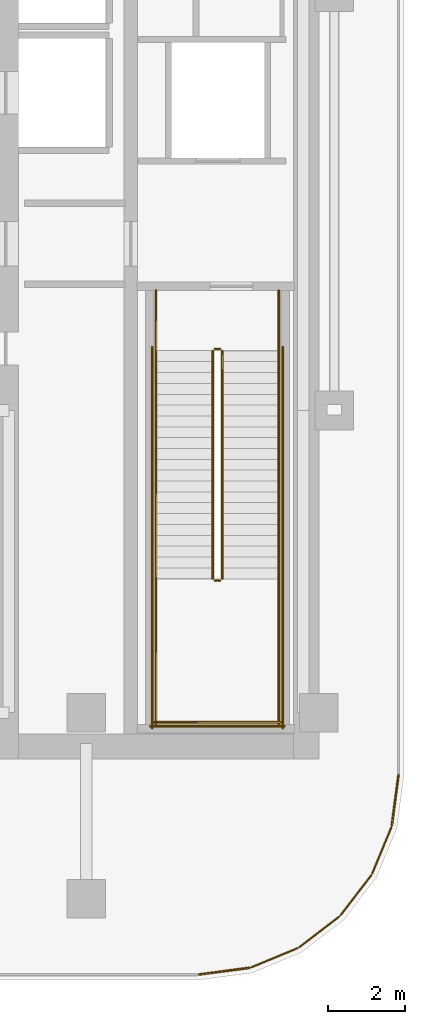
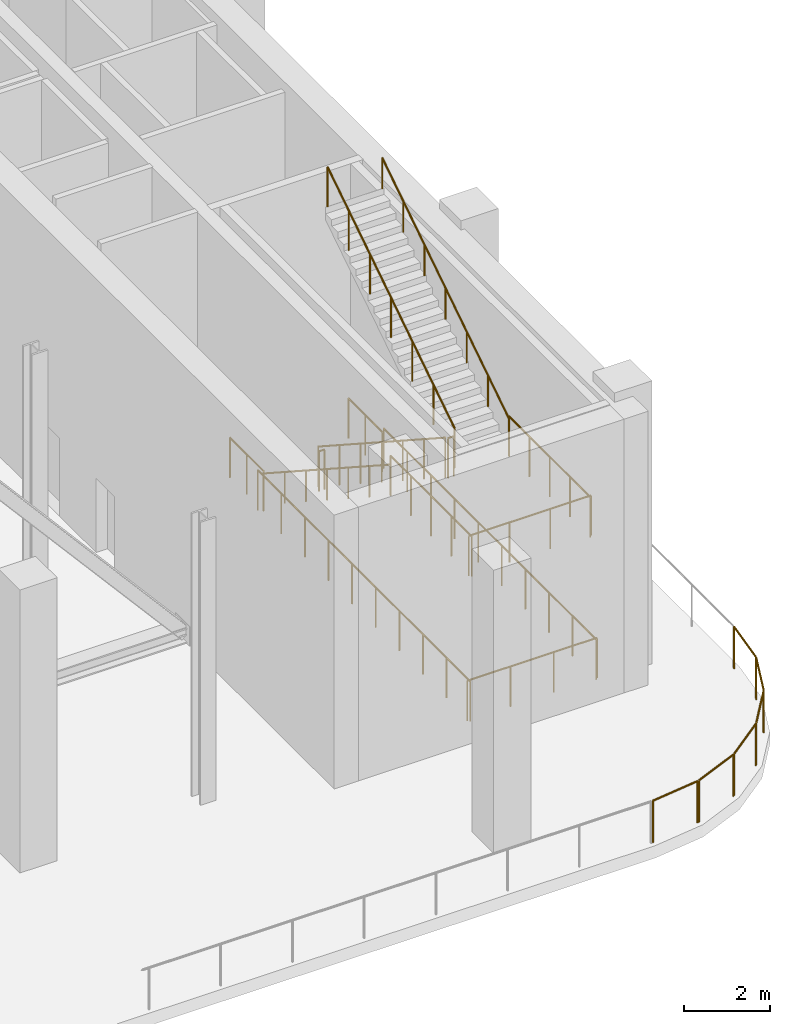
# One storey, part 9 of 12: 20 railings.
"""IFC4 building model written with IfcOpenShell, lengths in metres."""

from ifc_helpers import new_model, si_unit, direction, frame, origin, origin_2d, place, context, subcontext, project, spatial, circle, extrude, material, type_object, element, save


model = new_model("IFC4")

# Units and contexts
model_context = context("Model", 3, precision=1e-05, world=origin(), true_north=direction((0.0, 1.0)))
body_context = subcontext(model_context, "Body", "Model", "MODEL_VIEW")
ifc_project = project(units=[si_unit("LENGTHUNIT", "METRE"), si_unit("AREAUNIT", "SQUARE_METRE"), si_unit("VOLUMEUNIT", "CUBIC_METRE"), si_unit("PLANEANGLEUNIT", "RADIAN"), si_unit("MASSUNIT", "GRAM", prefix="KILO")], contexts=[model_context])

# Site, building, storey
site_placement = place(None, origin())
site = spatial("IfcSite", under=ifc_project, at=site_placement, CompositionType="ELEMENT")
building_placement = place(site_placement, origin())
building = spatial("IfcBuilding", under=site, at=building_placement, Name="Khairoan Windgate Tower", CompositionType="ELEMENT")
storey_placement = place(building_placement, frame((0.0, 0.0, 214.39990234375)))
storey = spatial("IfcBuildingStorey", under=building, at=storey_placement, Name="L50", CompositionType="ELEMENT", Elevation=214.39990234375)

# Railings
ifc_material_1 = material(Name="Anodised Bronze Aluminium 6063-T6", Category="aluminium")
railing_type_1 = type_object("IfcRailingType", Name="Aerodynamic Bronze-and-Glass Balustrade BAL-1200", PredefinedType="BALUSTRADE", material=ifc_material_1)
railing_1_placement = place(storey_placement, frame((22.456787109375, -20.215576171875, 0.0)))
element("IfcRailing", 1, at=railing_1_placement, inside=storey, type_object=railing_type_1, Name="L50 Wind-Slot Portal Perimeter Balustrade 23", PredefinedType="BALUSTRADE", context=body_context, shape_type="SweptSolid", body=[
    extrude(circle(Radius=0.02392578125, at=origin_2d()), frame((0.0, 0.0, 1.17578125), z_axis=(-0.130473854034, -0.991451750421, 0.0), x_axis=(0.991451750421, -0.130473854034, 0.0)), (0.0, 0.0, 1.0), 1.30615234375),
    extrude(circle(Radius=0.02099609375, at=origin_2d()), origin(), (0.0, 0.0, 1.0), 1.15185546875),
    extrude(circle(Radius=0.02099609375, at=origin_2d()), frame((-0.17041015625, -1.294921875, 0.0)), (0.0, 0.0, 1.0), 1.15185546875),
])
railing_2_placement = place(storey_placement, frame((22.2734375, -21.558349609375, 0.0)))
element("IfcRailing", 2, at=railing_2_placement, inside=storey, type_object=railing_type_1, Name="L50 Wind-Slot Portal Perimeter Balustrade 24", PredefinedType="BALUSTRADE", context=body_context, shape_type="SweptSolid", body=[
    extrude(circle(Radius=0.02392578125, at=origin_2d()), frame((0.0, 0.0, 1.17578125), z_axis=(-0.382756396898, -0.923849306236, 0.0), x_axis=(0.923849306236, -0.382756396898, 0.0)), (0.0, 0.0, 1.0), 1.296630859375),
    extrude(circle(Radius=0.02099609375, at=origin_2d()), origin(), (0.0, 0.0, 1.0), 1.15185546875),
    extrude(circle(Radius=0.02099609375, at=origin_2d()), frame((-0.496337890625, -1.197998046875, 0.0)), (0.0, 0.0, 1.0), 1.15185546875),
])
railing_3_placement = place(storey_placement, frame((21.75244140625, -22.79931640625, 0.0)))
element("IfcRailing", 3, at=railing_3_placement, inside=storey, type_object=railing_type_1, Name="L50 Wind-Slot Portal Perimeter Balustrade 25", PredefinedType="BALUSTRADE", context=body_context, shape_type="SweptSolid", body=[
    extrude(circle(Radius=0.02392578125, at=origin_2d()), frame((0.0, 0.0, 1.17578125), z_axis=(-0.608700288014, -0.793400251683, 0.0), x_axis=(0.793400251683, -0.608700288014, 0.0)), (0.0, 0.0, 1.0), 1.296630859375),
    extrude(circle(Radius=0.02099609375, at=origin_2d()), origin(), (0.0, 0.0, 1.0), 1.15185546875),
    extrude(circle(Radius=0.02099609375, at=origin_2d()), frame((-0.789306640625, -1.02880859375, 0.0)), (0.0, 0.0, 1.0), 1.15185546875),
])
railing_4_placement = place(storey_placement, frame((20.927978515625, -23.863037109375, 0.0)))
element("IfcRailing", 4, at=railing_4_placement, inside=storey, type_object=railing_type_1, Name="L50 Wind-Slot Portal Perimeter Balustrade 26", PredefinedType="BALUSTRADE", context=body_context, shape_type="SweptSolid", body=[
    extrude(circle(Radius=0.02392578125, at=origin_2d()), frame((0.0, 0.0, 1.17578125), z_axis=(-0.793400251683, -0.608700288014, 0.0), x_axis=(0.608700288014, -0.793400251683, 0.0)), (0.0, 0.0, 1.0), 1.296630859375),
    extrude(circle(Radius=0.02099609375, at=origin_2d()), origin(), (0.0, 0.0, 1.0), 1.15185546875),
    extrude(circle(Radius=0.02099609375, at=origin_2d()), frame((-1.02880859375, -0.789306640625, 0.0)), (0.0, 0.0, 1.0), 1.15185546875),
])
railing_5_placement = place(storey_placement, frame((19.856201171875, -24.67724609375, 0.0)))
element("IfcRailing", 5, at=railing_5_placement, inside=storey, type_object=railing_type_1, Name="L50 Wind-Slot Portal Perimeter Balustrade 27", PredefinedType="BALUSTRADE", context=body_context, shape_type="SweptSolid", body=[
    extrude(circle(Radius=0.02392578125, at=origin_2d()), frame((0.0, 0.0, 1.17578125), z_axis=(-0.923915871673, -0.382595690084, 0.0), x_axis=(0.382595690084, -0.923915871673, 0.0)), (0.0, 0.0, 1.0), 1.296630859375),
    extrude(circle(Radius=0.02099609375, at=origin_2d()), origin(), (0.0, 0.0, 1.0), 1.15185546875),
    extrude(circle(Radius=0.02099609375, at=origin_2d()), frame((-1.197998046875, -0.49609375, 0.0)), (0.0, 0.0, 1.0), 1.15185546875),
])
railing_6_placement = place(storey_placement, frame((18.6103515625, -25.186279296875, 0.0)))
element("IfcRailing", 6, at=railing_6_placement, inside=storey, type_object=railing_type_1, Name="L50 Wind-Slot Portal Perimeter Balustrade 28", PredefinedType="BALUSTRADE", context=body_context, shape_type="SweptSolid", body=[
    extrude(circle(Radius=0.02392578125, at=origin_2d()), frame((0.0, 0.0, 1.17578125), z_axis=(-0.991448567428, -0.130498038858, 0.0), x_axis=(0.130498038858, -0.991448567428, 0.0)), (0.0, 0.0, 1.0), 1.305908203125),
    extrude(circle(Radius=0.02099609375, at=origin_2d()), origin(), (0.0, 0.0, 1.0), 1.15185546875),
    extrude(circle(Radius=0.02099609375, at=origin_2d()), frame((-1.294677734375, -0.17041015625, 0.0)), (0.0, 0.0, 1.0), 1.15185546875),
])
ifc_material_2 = material(Name="Anodised Bronze Aluminium 6063-T6", Category="aluminium")
railing_type_2 = type_object("IfcRailingType", Name="Stair Wall Handrail SHR-900", PredefinedType="HANDRAIL", material=ifc_material_2)
railing_7_placement = place(storey_placement, frame((16.199951171875, -9.260009765625, 0.181884765625)))
element("IfcRailing", 7, at=railing_7_placement, inside=storey, type_object=railing_type_2, Name="L50 ST1 stair handrail 1", PredefinedType="HANDRAIL", context=body_context, shape_type="SweptSolid", body=[
    extrude(circle(Radius=0.02392578125, at=origin_2d()), frame((0.0, 0.0, 0.8759765625), z_axis=(0.0, -0.838691762283, 0.544606397207), x_axis=(1.0, 0.0, 0.0)), (0.0, 0.0, 1.0), 7.0107421875),
    extrude(circle(Radius=0.02099609375, at=origin_2d()), origin(), (0.0, 0.0, 1.0), 0.851806640625),
    extrude(circle(Radius=0.02099609375, at=origin_2d()), frame((0.0, -0.97998046875, 0.63623046875)), (0.0, 0.0, 1.0), 0.851806640625),
    extrude(circle(Radius=0.02099609375, at=origin_2d()), frame((0.0, -1.9599609375, 1.272705078125)), (0.0, 0.0, 1.0), 0.851806640625),
    extrude(circle(Radius=0.02099609375, at=origin_2d()), frame((0.0, -2.93994140625, 1.9091796875)), (0.0, 0.0, 1.0), 0.851806640625),
    extrude(circle(Radius=0.02099609375, at=origin_2d()), frame((0.0, -3.919921875, 2.54541015625)), (0.0, 0.0, 1.0), 0.851806640625),
    extrude(circle(Radius=0.02099609375, at=origin_2d()), frame((0.0, -4.89990234375, 3.181640625)), (0.0, 0.0, 1.0), 0.851806640625),
    extrude(circle(Radius=0.02099609375, at=origin_2d()), frame((0.0, -5.8798828125, 3.818115234375)), (0.0, 0.0, 1.0), 0.851806640625),
])
railing_8_placement = place(storey_placement, frame((19.3701171875, -15.139892578125, 4.181884765625)))
element("IfcRailing", 8, at=railing_8_placement, inside=storey, type_object=railing_type_2, Name="L50 ST1 stair handrail 2", PredefinedType="HANDRAIL", context=body_context, shape_type="SweptSolid", body=[
    extrude(circle(Radius=0.02392578125, at=origin_2d()), frame((0.0, 0.0, 0.8759765625), z_axis=(0.0, 0.838691762283, 0.544606397207), x_axis=(-1.0, 0.0, 0.0)), (0.0, 0.0, 1.0), 7.0107421875),
    extrude(circle(Radius=0.02099609375, at=origin_2d()), origin(), (0.0, 0.0, 1.0), 0.851806640625),
    extrude(circle(Radius=0.02099609375, at=origin_2d()), frame((0.0, 0.97998046875, 0.63623046875)), (0.0, 0.0, 1.0), 0.851806640625),
    extrude(circle(Radius=0.02099609375, at=origin_2d()), frame((0.0, 1.9599609375, 1.272705078125)), (0.0, 0.0, 1.0), 0.851806640625),
    extrude(circle(Radius=0.02099609375, at=origin_2d()), frame((0.0, 2.93994140625, 1.9091796875)), (0.0, 0.0, 1.0), 0.851806640625),
    extrude(circle(Radius=0.02099609375, at=origin_2d()), frame((0.0, 3.919921875, 2.54541015625)), (0.0, 0.0, 1.0), 0.851806640625),
    extrude(circle(Radius=0.02099609375, at=origin_2d()), frame((0.0, 4.89990234375, 3.181640625)), (0.0, 0.0, 1.0), 0.851806640625),
    extrude(circle(Radius=0.02099609375, at=origin_2d()), frame((0.0, 5.8798828125, 3.818115234375)), (0.0, 0.0, 1.0), 0.851806640625),
])
ifc_material_3 = material(Name="Steel S355", Category="steel")
railing_type_3 = type_object("IfcRailingType", Name="Stairwell Safety Guardrail SGR-1150", PredefinedType="GUARDRAIL", material=ifc_material_3)
railing_9_placement = place(storey_placement, frame((17.659912109375, -9.260009765625, 0.181884765625)))
element("IfcRailing", 9, at=railing_9_placement, inside=storey, type_object=railing_type_3, Name="L50 ST1 stair guard 1", PredefinedType="GUARDRAIL", context=body_context, shape_type="SweptSolid", body=[
    extrude(circle(Radius=0.02392578125, at=origin_2d()), frame((0.0, 0.0, 1.1259765625), z_axis=(0.0, -0.838691762283, 0.544606397207), x_axis=(1.0, 0.0, 0.0)), (0.0, 0.0, 1.0), 7.0107421875),
    extrude(circle(Radius=0.02099609375, at=origin_2d()), origin(), (0.0, 0.0, 1.0), 1.101806640625),
    extrude(circle(Radius=0.02099609375, at=origin_2d()), frame((0.0, -0.97998046875, 0.63623046875)), (0.0, 0.0, 1.0), 1.101806640625),
    extrude(circle(Radius=0.02099609375, at=origin_2d()), frame((0.0, -1.9599609375, 1.272705078125)), (0.0, 0.0, 1.0), 1.101806640625),
    extrude(circle(Radius=0.02099609375, at=origin_2d()), frame((0.0, -2.93994140625, 1.9091796875)), (0.0, 0.0, 1.0), 1.101806640625),
    extrude(circle(Radius=0.02099609375, at=origin_2d()), frame((0.0, -3.919921875, 2.54541015625)), (0.0, 0.0, 1.0), 1.101806640625),
    extrude(circle(Radius=0.02099609375, at=origin_2d()), frame((0.0, -4.89990234375, 3.181640625)), (0.0, 0.0, 1.0), 1.101806640625),
    extrude(circle(Radius=0.02099609375, at=origin_2d()), frame((0.0, -5.8798828125, 3.818115234375)), (0.0, 0.0, 1.0), 1.101806640625),
])
railing_10_placement = place(storey_placement, frame((17.7099609375, -15.18994140625, 4.0)))
element("IfcRailing", 10, at=railing_10_placement, inside=storey, type_object=railing_type_3, Name="L50 ST1 stair guard 2", PredefinedType="GUARDRAIL", context=body_context, shape_type="SweptSolid", body=[
    extrude(circle(Radius=0.02392578125, at=origin_2d()), frame((0.0, 0.0, 1.1259765625), z_axis=(1.0, 0.0, 0.0), x_axis=(0.0, 1.0, 0.0)), (0.0, 0.0, 1.0), 0.150146484375),
    extrude(circle(Radius=0.02099609375, at=origin_2d()), origin(), (0.0, 0.0, 1.0), 1.101806640625),
    extrude(circle(Radius=0.02099609375, at=origin_2d()), frame((0.150146484375, 0.0, 0.0)), (0.0, 0.0, 1.0), 1.101806640625),
])
for number, where, name in (
    (11, (16.199951171875, -15.139892578125, 4.0), "L50 ST1 stair guard 3"),
    (12, (19.3701171875, -15.139892578125, 4.0), "L50 ST1 stair guard 4"),
):
    element("IfcRailing", number, at=place(storey_placement, frame(where)), inside=storey, type_object=railing_type_3, Name=name, PredefinedType="GUARDRAIL", context=body_context, shape_type="SweptSolid", body=[
        extrude(circle(Radius=0.02392578125, at=origin_2d()), frame((0.0, 0.0, 1.1259765625), z_axis=(0.0, -1.0, 0.0), x_axis=(1.0, 0.0, 0.0)), (0.0, 0.0, 1.0), 3.760009765625),
        extrude(circle(Radius=0.02099609375, at=origin_2d()), origin(), (0.0, 0.0, 1.0), 1.101806640625),
        extrude(circle(Radius=0.02099609375, at=origin_2d()), frame((0.0, -0.93994140625, 0.0)), (0.0, 0.0, 1.0), 1.101806640625),
        extrude(circle(Radius=0.02099609375, at=origin_2d()), frame((0.0, -1.8798828125, 0.0)), (0.0, 0.0, 1.0), 1.101806640625),
        extrude(circle(Radius=0.02099609375, at=origin_2d()), frame((0.0, -2.820068359375, 0.0)), (0.0, 0.0, 1.0), 1.101806640625),
        extrude(circle(Radius=0.02099609375, at=origin_2d()), frame((0.0, -3.760009765625, 0.0)), (0.0, 0.0, 1.0), 1.101806640625),
    ])
railing_11_placement = place(storey_placement, frame((16.14990234375, -18.85009765625, 4.0)))
element("IfcRailing", 13, at=railing_11_placement, inside=storey, type_object=railing_type_3, Name="L50 ST1 stair guard 5", PredefinedType="GUARDRAIL", context=body_context, shape_type="SweptSolid", body=[
    extrude(circle(Radius=0.02392578125, at=origin_2d()), frame((0.0, 0.0, 1.1259765625), z_axis=(1.0, 0.0, 0.0), x_axis=(0.0, 1.0, 0.0)), (0.0, 0.0, 1.0), 3.27001953125),
    extrude(circle(Radius=0.02099609375, at=origin_2d()), origin(), (0.0, 0.0, 1.0), 1.101806640625),
    extrude(circle(Radius=0.02099609375, at=origin_2d()), frame((1.090087890625, 0.0, 0.0)), (0.0, 0.0, 1.0), 1.101806640625),
    extrude(circle(Radius=0.02099609375, at=origin_2d()), frame((2.179931640625, 0.0, 0.0)), (0.0, 0.0, 1.0), 1.101806640625),
    extrude(circle(Radius=0.02099609375, at=origin_2d()), frame((3.27001953125, 0.0, 0.0)), (0.0, 0.0, 1.0), 1.101806640625),
])
railing_12_placement = place(storey_placement, frame((17.909912109375, -15.139892578125, 4.181884765625)))
element("IfcRailing", 14, at=railing_12_placement, inside=storey, type_object=railing_type_3, Name="L50 ST1 stair guard 6", PredefinedType="GUARDRAIL", context=body_context, shape_type="SweptSolid", body=[
    extrude(circle(Radius=0.02392578125, at=origin_2d()), frame((0.0, 0.0, 1.1259765625), z_axis=(0.0, 0.838691762283, 0.544606397207), x_axis=(-1.0, 0.0, 0.0)), (0.0, 0.0, 1.0), 7.0107421875),
    extrude(circle(Radius=0.02099609375, at=origin_2d()), origin(), (0.0, 0.0, 1.0), 1.101806640625),
    extrude(circle(Radius=0.02099609375, at=origin_2d()), frame((0.0, 0.97998046875, 0.63623046875)), (0.0, 0.0, 1.0), 1.101806640625),
    extrude(circle(Radius=0.02099609375, at=origin_2d()), frame((0.0, 1.9599609375, 1.272705078125)), (0.0, 0.0, 1.0), 1.101806640625),
    extrude(circle(Radius=0.02099609375, at=origin_2d()), frame((0.0, 2.93994140625, 1.9091796875)), (0.0, 0.0, 1.0), 1.101806640625),
    extrude(circle(Radius=0.02099609375, at=origin_2d()), frame((0.0, 3.919921875, 2.54541015625)), (0.0, 0.0, 1.0), 1.101806640625),
    extrude(circle(Radius=0.02099609375, at=origin_2d()), frame((0.0, 4.89990234375, 3.181640625)), (0.0, 0.0, 1.0), 1.101806640625),
    extrude(circle(Radius=0.02099609375, at=origin_2d()), frame((0.0, 5.8798828125, 3.818115234375)), (0.0, 0.0, 1.0), 1.101806640625),
])
railing_13_placement = place(storey_placement, frame((17.7099609375, -9.2099609375, 0.0)))
element("IfcRailing", 15, at=railing_13_placement, inside=storey, type_object=railing_type_3, Name="L50 ST1 stair guard 7", PredefinedType="GUARDRAIL", context=body_context, shape_type="SweptSolid", body=[
    extrude(circle(Radius=0.02392578125, at=origin_2d()), frame((0.0, 0.0, 1.1259765625), z_axis=(1.0, 0.0, 0.0), x_axis=(0.0, 1.0, 0.0)), (0.0, 0.0, 1.0), 0.150146484375),
    extrude(circle(Radius=0.02099609375, at=origin_2d()), origin(), (0.0, 0.0, 1.0), 1.101806640625),
    extrude(circle(Radius=0.02099609375, at=origin_2d()), frame((0.150146484375, 0.0, 0.0)), (0.0, 0.0, 1.0), 1.101806640625),
])
for number, where, name in (
    (16, (16.199951171875, -7.699951171875, 0.0), "L50 ST1 stair guard 8"),
    (17, (19.3701171875, -7.699951171875, 0.0), "L50 ST1 stair guard 9"),
):
    element("IfcRailing", number, at=place(storey_placement, frame(where)), inside=storey, type_object=railing_type_3, Name=name, PredefinedType="GUARDRAIL", context=body_context, shape_type="SweptSolid", body=[
        extrude(circle(Radius=0.02392578125, at=origin_2d()), frame((0.0, 0.0, 1.1259765625), z_axis=(0.0, -1.0, 0.0), x_axis=(1.0, 0.0, 0.0)), (0.0, 0.0, 1.0), 1.56005859375),
        extrude(circle(Radius=0.02099609375, at=origin_2d()), origin(), (0.0, 0.0, 1.0), 1.101806640625),
        extrude(circle(Radius=0.02099609375, at=origin_2d()), frame((0.0, -0.780029296875, 0.0)), (0.0, 0.0, 1.0), 1.101806640625),
        extrude(circle(Radius=0.02099609375, at=origin_2d()), frame((0.0, -1.56005859375, 0.0)), (0.0, 0.0, 1.0), 1.101806640625),
    ])
for number, where, name in (
    (18, (16.10009765625, -9.159912109375, 0.0), "L50 ST1 stair guard 10"),
    (19, (19.469970703125, -9.159912109375, 0.0), "L50 ST1 stair guard 11"),
):
    element("IfcRailing", number, at=place(storey_placement, frame(where)), inside=storey, type_object=railing_type_3, Name=name, PredefinedType="GUARDRAIL", context=body_context, shape_type="SweptSolid", body=[
        extrude(circle(Radius=0.02392578125, at=origin_2d()), frame((0.0, 0.0, 1.1259765625), z_axis=(0.0, -1.0, 0.0), x_axis=(1.0, 0.0, 0.0)), (0.0, 0.0, 1.0), 9.840087890625),
        extrude(circle(Radius=0.02099609375, at=origin_2d()), origin(), (0.0, 0.0, 1.0), 1.101806640625),
        extrude(circle(Radius=0.02099609375, at=origin_2d()), frame((0.0, -1.09326171875, 0.0)), (0.0, 0.0, 1.0), 1.101806640625),
        extrude(circle(Radius=0.02099609375, at=origin_2d()), frame((0.0, -2.186767578125, 0.0)), (0.0, 0.0, 1.0), 1.101806640625),
        extrude(circle(Radius=0.02099609375, at=origin_2d()), frame((0.0, -3.280029296875, 0.0)), (0.0, 0.0, 1.0), 1.101806640625),
        extrude(circle(Radius=0.02099609375, at=origin_2d()), frame((0.0, -4.373291015625, 0.0)), (0.0, 0.0, 1.0), 1.101806640625),
        extrude(circle(Radius=0.02099609375, at=origin_2d()), frame((0.0, -5.466796875, 0.0)), (0.0, 0.0, 1.0), 1.101806640625),
        extrude(circle(Radius=0.02099609375, at=origin_2d()), frame((0.0, -6.56005859375, 0.0)), (0.0, 0.0, 1.0), 1.101806640625),
        extrude(circle(Radius=0.02099609375, at=origin_2d()), frame((0.0, -7.6533203125, 0.0)), (0.0, 0.0, 1.0), 1.101806640625),
        extrude(circle(Radius=0.02099609375, at=origin_2d()), frame((0.0, -8.746826171875, 0.0)), (0.0, 0.0, 1.0), 1.101806640625),
        extrude(circle(Radius=0.02099609375, at=origin_2d()), frame((0.0, -9.840087890625, 0.0)), (0.0, 0.0, 1.0), 1.101806640625),
    ])
railing_14_placement = place(storey_placement, frame((16.050048828125, -18.949951171875, 0.0)))
element("IfcRailing", 20, at=railing_14_placement, inside=storey, type_object=railing_type_3, Name="L50 ST1 stair guard 12", PredefinedType="GUARDRAIL", context=body_context, shape_type="SweptSolid", body=[
    extrude(circle(Radius=0.02392578125, at=origin_2d()), frame((0.0, 0.0, 1.1259765625), z_axis=(1.0, 0.0, 0.0), x_axis=(0.0, 1.0, 0.0)), (0.0, 0.0, 1.0), 3.469970703125),
    extrude(circle(Radius=0.02099609375, at=origin_2d()), origin(), (0.0, 0.0, 1.0), 1.101806640625),
    extrude(circle(Radius=0.02099609375, at=origin_2d()), frame((1.15673828125, 0.0, 0.0)), (0.0, 0.0, 1.0), 1.101806640625),
    extrude(circle(Radius=0.02099609375, at=origin_2d()), frame((2.313232421875, 0.0, 0.0)), (0.0, 0.0, 1.0), 1.101806640625),
    extrude(circle(Radius=0.02099609375, at=origin_2d()), frame((3.469970703125, 0.0, 0.0)), (0.0, 0.0, 1.0), 1.101806640625),
])

save(model, "model.ifc")
